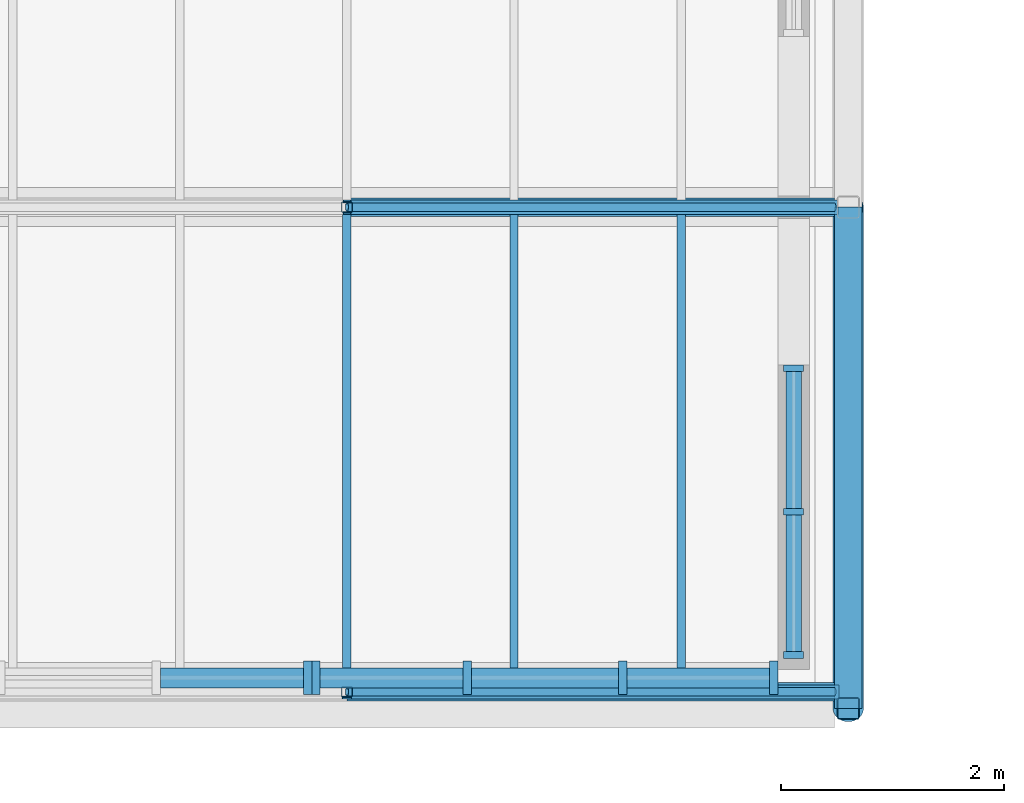
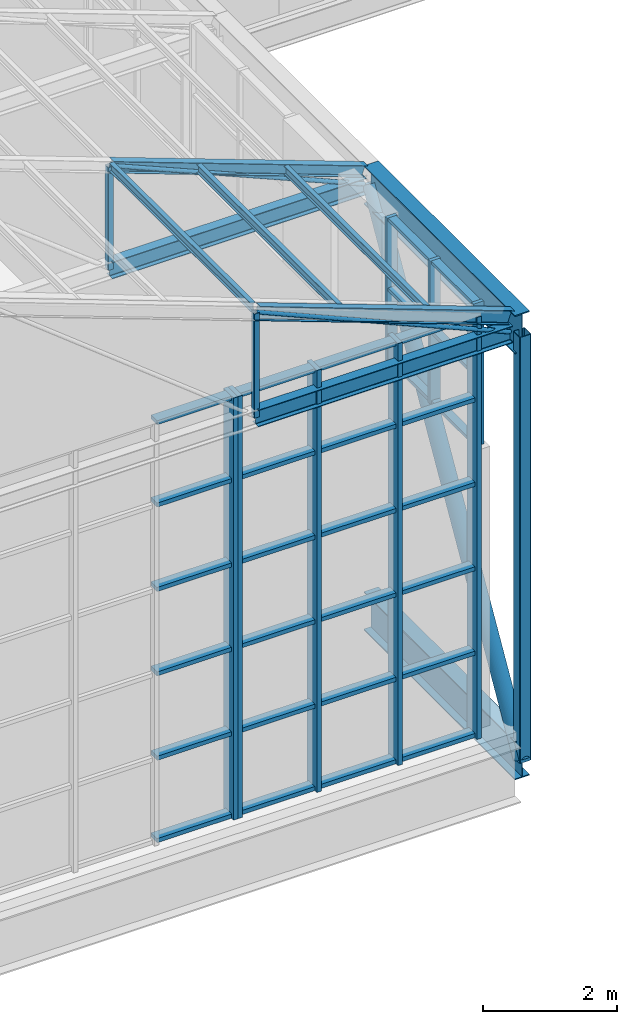
# One storey, part 21 of 90: 53 members, 3 elements without a shape of their own.
"""IFC4 building model written with IfcOpenShell, lengths in metres."""

from ifc_helpers import new_model, si_unit, direction, frame, origin, origin_2d, place, context, subcontext, project, spatial, rectangle, hollow_rectangle, hollow_circle, i_section, extrude, material, layer, layer_set, material_profile, profile_set, type_object, element, aggregate, save


model = new_model("IFC4")

# Units and contexts
model_context = context("Model", 3, precision=1e-05, world=origin(), true_north=direction((0.0, 1.0)))
body_context = subcontext(model_context, "Body", "Model", "MODEL_VIEW")
ifc_project = project(units=[si_unit("LENGTHUNIT", "METRE"), si_unit("AREAUNIT", "SQUARE_METRE"), si_unit("VOLUMEUNIT", "CUBIC_METRE"), si_unit("PLANEANGLEUNIT", "RADIAN"), si_unit("MASSUNIT", "GRAM", prefix="KILO")], contexts=[model_context])

# Site, building, storey
site_placement = place(None, origin())
site = spatial("IfcSite", under=ifc_project, at=site_placement, CompositionType="ELEMENT")
building_placement = place(site_placement, origin())
building = spatial("IfcBuilding", under=site, at=building_placement, Name="Halyard Row Museum", CompositionType="ELEMENT")
storey_placement = place(building_placement, frame((0.0, 0.0, 13.39990234375)))
storey = spatial("IfcBuildingStorey", under=building, at=storey_placement, Name="L03", CompositionType="ELEMENT", Elevation=13.39990234375)

# Curtain wall, members
ifc_material_1 = material(Name="Double glazed unit, low-emissivity", Category="glass")
ifc_layer_1 = layer(ifc_material_1, 0.179931640625)
ifc_layer_set_1 = layer_set([ifc_layer_1], Name="Double glazed unit, low-emissivity")
curtain_wall_type_1 = type_object("IfcCurtainWallType", Name="Curtain wall stick 180 deep", PredefinedType="NOTDEFINED", material=ifc_layer_set_1)
curtain_wall_1_placement = place(storey_placement, origin())
curtain_wall_1 = element("IfcCurtainWall", 1, at=curtain_wall_1_placement, inside=storey, type_object=curtain_wall_type_1, Name="Curtain wall CW071", PredefinedType="NOTDEFINED")
ifc_material_2 = material(Name="Powder-coated aluminium section", Category="aluminium")
ifc_material_profile_1 = material_profile(ifc_material_2, rectangle(XDim=0.179931640625, YDim=0.06005859375, at=origin_2d()), Name="180x60 mullion")
ifc_profile_set_1 = profile_set([ifc_material_profile_1], Name="Powder-coated aluminium section")
member_type_1 = type_object("IfcMemberType", Name="Curtain wall mullion CM2 60 x 180", PredefinedType="MULLION", material=ifc_profile_set_1)
member_1_placement = place(storey_placement, frame((53.510009765625, 0.47998046875, 5.07275390625), z_axis=(0.0, 0.0, 1.0), x_axis=(-1.0, 0.0, 0.0)))
member_1 = element("IfcMember", 2, at=member_1_placement, type_object=member_type_1, Name="CW071 mullion 1", PredefinedType="MULLION", context=body_context, shape_type="SweptSolid", body=[
    extrude(rectangle(XDim=0.179931640625, YDim=0.06005859375, at=origin_2d()), origin(), (0.0, 0.0, 1.0), 2.60009765625),
])
member_2_placement = place(storey_placement, frame((53.510009765625, 1.7666015625, 5.07275390625), z_axis=(0.0, 0.0, 1.0), x_axis=(-1.0, 0.0, 0.0)))
member_2 = element("IfcMember", 3, at=member_2_placement, type_object=member_type_1, Name="CW071 mullion 2", PredefinedType="MULLION", context=body_context, shape_type="SweptSolid", body=[
    extrude(rectangle(XDim=0.179931640625, YDim=0.06005859375, at=origin_2d()), origin(), (0.0, 0.0, 1.0), 2.60009765625),
])
member_3_placement = place(storey_placement, frame((53.510009765625, 3.05322265625, 5.07275390625), z_axis=(0.0, 0.0, 1.0), x_axis=(-1.0, 0.0, 0.0)))
member_3 = element("IfcMember", 4, at=member_3_placement, type_object=member_type_1, Name="CW071 mullion 3", PredefinedType="MULLION", context=body_context, shape_type="SweptSolid", body=[
    extrude(rectangle(XDim=0.179931640625, YDim=0.06005859375, at=origin_2d()), origin(), (0.0, 0.0, 1.0), 2.60009765625),
])

# Curtain wall, member
ifc_material_3 = material(Name="Double glazed unit, low-emissivity", Category="glass")
ifc_layer_2 = layer(ifc_material_3, 0.300048828125)
ifc_layer_set_2 = layer_set([ifc_layer_2], Name="Double glazed unit, low-emissivity")
curtain_wall_type_2 = type_object("IfcCurtainWallType", Name="Curtain wall deep-framed 300 deep", PredefinedType="NOTDEFINED", material=ifc_layer_set_2)
curtain_wall_2_placement = place(storey_placement, origin())
curtain_wall_2 = element("IfcCurtainWall", 5, at=curtain_wall_2_placement, inside=storey, type_object=curtain_wall_type_2, Name="Curtain wall CW065", PredefinedType="NOTDEFINED")
ifc_material_4 = material(Name="Powder-coated aluminium section", Category="aluminium")
ifc_material_profile_2 = material_profile(ifc_material_4, rectangle(XDim=0.300048828125, YDim=0.074951171875, at=origin_2d()), Name="300x75 mullion")
ifc_profile_set_2 = profile_set([ifc_material_profile_2], Name="Powder-coated aluminium section")
member_type_2 = type_object("IfcMemberType", Name="Curtain wall mullion CM6 75 x 300", PredefinedType="MULLION", material=ifc_profile_set_2)
member_4_placement = place(storey_placement, frame((49.1474609375, 0.27490234375, 0.0), z_axis=(0.0, 0.0, 1.0), x_axis=(0.0, 1.0, 0.0)))
member_4 = element("IfcMember", 6, at=member_4_placement, type_object=member_type_2, Name="CW065 mullion 4", PredefinedType="MULLION", context=body_context, shape_type="SweptSolid", body=[
    extrude(rectangle(XDim=0.300048828125, YDim=0.074951171875, at=origin_2d()), origin(), (0.0, 0.0, 1.0), 7.6728515625),
])

# Curtain wall, members
curtain_wall_3_placement = place(storey_placement, origin())
curtain_wall_3 = element("IfcCurtainWall", 7, at=curtain_wall_3_placement, inside=storey, type_object=curtain_wall_type_2, Name="Curtain wall CW066", PredefinedType="NOTDEFINED")
member_5_placement = place(storey_placement, frame((49.222412109375, 0.27490234375, 0.0), z_axis=(0.0, 0.0, 1.0), x_axis=(0.0, 1.0, 0.0)))
member_5 = element("IfcMember", 8, at=member_5_placement, type_object=member_type_2, Name="CW066 mullion 1", PredefinedType="MULLION", context=body_context, shape_type="SweptSolid", body=[
    extrude(rectangle(XDim=0.300048828125, YDim=0.074951171875, at=origin_2d()), origin(), (0.0, 0.0, 1.0), 7.6728515625),
])
member_6_placement = place(storey_placement, frame((50.580078125, 0.27490234375, 0.0), z_axis=(0.0, 0.0, 1.0), x_axis=(0.0, 1.0, 0.0)))
member_6 = element("IfcMember", 9, at=member_6_placement, type_object=member_type_2, Name="CW066 mullion 2", PredefinedType="MULLION", context=body_context, shape_type="SweptSolid", body=[
    extrude(rectangle(XDim=0.300048828125, YDim=0.074951171875, at=origin_2d()), origin(), (0.0, 0.0, 1.0), 7.6728515625),
])
member_7_placement = place(storey_placement, frame((51.97509765625, 0.27490234375, 0.0), z_axis=(0.0, 0.0, 1.0), x_axis=(0.0, 1.0, 0.0)))
member_7 = element("IfcMember", 10, at=member_7_placement, type_object=member_type_2, Name="CW066 mullion 3", PredefinedType="MULLION", context=body_context, shape_type="SweptSolid", body=[
    extrude(rectangle(XDim=0.300048828125, YDim=0.074951171875, at=origin_2d()), origin(), (0.0, 0.0, 1.0), 7.6728515625),
])
member_8_placement = place(storey_placement, frame((53.33251953125, 0.27490234375, 0.0), z_axis=(0.0, 0.0, 1.0), x_axis=(0.0, 1.0, 0.0)))
member_8 = element("IfcMember", 11, at=member_8_placement, type_object=member_type_2, Name="CW066 mullion 4", PredefinedType="MULLION", context=body_context, shape_type="SweptSolid", body=[
    extrude(rectangle(XDim=0.300048828125, YDim=0.074951171875, at=origin_2d()), origin(), (0.0, 0.0, 1.0), 7.6728515625),
])

# Member
ifc_material_5 = material(Name="Powder-coated aluminium section", Category="aluminium")
ifc_material_profile_3 = material_profile(ifc_material_5, rectangle(XDim=0.139892578125, YDim=0.06005859375, at=origin_2d()), Name="140x60 transom")
ifc_profile_set_3 = profile_set([ifc_material_profile_3], Name="Powder-coated aluminium section")
member_type_3 = type_object("IfcMemberType", Name="Curtain wall transom CT2 60 x 140", PredefinedType="USERDEFINED", material=ifc_profile_set_3)
member_9_placement = place(storey_placement, frame((53.510009765625, 0.510009765625, 5.102783203125), z_axis=(0.0, 1.0, 0.0), x_axis=(-1.0, 0.0, 0.0)))
member_9 = element("IfcMember", 12, at=member_9_placement, type_object=member_type_3, Name="CW071 transom 1.1", ObjectType="TRANSOM", PredefinedType="USERDEFINED", context=body_context, shape_type="SweptSolid", body=[
    extrude(rectangle(XDim=0.139892578125, YDim=0.06005859375, at=origin_2d()), origin(), (0.0, 0.0, 1.0), 1.2265625),
])

member_10_placement = place(storey_placement, frame((53.510009765625, 0.510009765625, 6.372802734375), z_axis=(0.0, 1.0, 0.0), x_axis=(-1.0, 0.0, 0.0)))
member_10 = element("IfcMember", 13, at=member_10_placement, type_object=member_type_3, Name="CW071 transom 1.2", ObjectType="TRANSOM", PredefinedType="USERDEFINED", context=body_context, shape_type="SweptSolid", body=[
    extrude(rectangle(XDim=0.139892578125, YDim=0.06005859375, at=origin_2d()), origin(), (0.0, 0.0, 1.0), 1.2265625),
])

member_11_placement = place(storey_placement, frame((53.510009765625, 0.510009765625, 7.642822265625), z_axis=(0.0, 1.0, 0.0), x_axis=(-1.0, 0.0, 0.0)))
member_11 = element("IfcMember", 14, at=member_11_placement, type_object=member_type_3, Name="CW071 transom 1.3", ObjectType="TRANSOM", PredefinedType="USERDEFINED", context=body_context, shape_type="SweptSolid", body=[
    extrude(rectangle(XDim=0.139892578125, YDim=0.06005859375, at=origin_2d()), origin(), (0.0, 0.0, 1.0), 1.2265625),
])

member_12_placement = place(storey_placement, frame((53.510009765625, 1.796630859375, 5.102783203125), z_axis=(0.0, 1.0, 0.0), x_axis=(-1.0, 0.0, 0.0)))
member_12 = element("IfcMember", 15, at=member_12_placement, type_object=member_type_3, Name="CW071 transom 2.1", ObjectType="TRANSOM", PredefinedType="USERDEFINED", context=body_context, shape_type="SweptSolid", body=[
    extrude(rectangle(XDim=0.139892578125, YDim=0.06005859375, at=origin_2d()), origin(), (0.0, 0.0, 1.0), 1.226806640625),
])

member_13_placement = place(storey_placement, frame((53.510009765625, 1.796630859375, 6.372802734375), z_axis=(0.0, 1.0, 0.0), x_axis=(-1.0, 0.0, 0.0)))
member_13 = element("IfcMember", 16, at=member_13_placement, type_object=member_type_3, Name="CW071 transom 2.2", ObjectType="TRANSOM", PredefinedType="USERDEFINED", context=body_context, shape_type="SweptSolid", body=[
    extrude(rectangle(XDim=0.139892578125, YDim=0.06005859375, at=origin_2d()), origin(), (0.0, 0.0, 1.0), 1.226806640625),
])

member_14_placement = place(storey_placement, frame((53.510009765625, 1.796630859375, 7.642822265625), z_axis=(0.0, 1.0, 0.0), x_axis=(-1.0, 0.0, 0.0)))
member_14 = element("IfcMember", 17, at=member_14_placement, type_object=member_type_3, Name="CW071 transom 2.3", ObjectType="TRANSOM", PredefinedType="USERDEFINED", context=body_context, shape_type="SweptSolid", body=[
    extrude(rectangle(XDim=0.139892578125, YDim=0.06005859375, at=origin_2d()), origin(), (0.0, 0.0, 1.0), 1.226806640625),
])

aggregate(curtain_wall_1, [member_1, member_2, member_3, member_9, member_10, member_11, member_12, member_13, member_14])

ifc_material_6 = material(Name="Powder-coated aluminium section", Category="aluminium")
ifc_material_profile_4 = material_profile(ifc_material_6, rectangle(XDim=0.179931640625, YDim=0.074951171875, at=origin_2d()), Name="180x75 transom")
ifc_profile_set_4 = profile_set([ifc_material_profile_4], Name="Powder-coated aluminium section")
member_type_4 = type_object("IfcMemberType", Name="Curtain wall transom CT6 75 x 180", PredefinedType="USERDEFINED", material=ifc_profile_set_4)
member_15_placement = place(storey_placement, frame((47.827392578125, 0.27490234375, 0.03759765625), z_axis=(1.0, 0.0, 0.0), x_axis=(0.0, 1.0, 0.0)))
member_15 = element("IfcMember", 18, at=member_15_placement, type_object=member_type_4, Name="CW065 transom 3.1", ObjectType="TRANSOM", PredefinedType="USERDEFINED", context=body_context, shape_type="SweptSolid", body=[
    extrude(rectangle(XDim=0.179931640625, YDim=0.074951171875, at=origin_2d()), origin(), (0.0, 0.0, 1.0), 1.28271484375),
])

member_16_placement = place(storey_placement, frame((47.827392578125, 0.27490234375, 1.53466796875), z_axis=(1.0, 0.0, 0.0), x_axis=(0.0, 1.0, 0.0)))
member_16 = element("IfcMember", 19, at=member_16_placement, type_object=member_type_4, Name="CW065 transom 3.2", ObjectType="TRANSOM", PredefinedType="USERDEFINED", context=body_context, shape_type="SweptSolid", body=[
    extrude(rectangle(XDim=0.179931640625, YDim=0.074951171875, at=origin_2d()), origin(), (0.0, 0.0, 1.0), 1.28271484375),
])

member_17_placement = place(storey_placement, frame((47.827392578125, 0.27490234375, 3.069091796875), z_axis=(1.0, 0.0, 0.0), x_axis=(0.0, 1.0, 0.0)))
member_17 = element("IfcMember", 20, at=member_17_placement, type_object=member_type_4, Name="CW065 transom 3.3", ObjectType="TRANSOM", PredefinedType="USERDEFINED", context=body_context, shape_type="SweptSolid", body=[
    extrude(rectangle(XDim=0.179931640625, YDim=0.074951171875, at=origin_2d()), origin(), (0.0, 0.0, 1.0), 1.28271484375),
])

member_18_placement = place(storey_placement, frame((47.827392578125, 0.27490234375, 4.603759765625), z_axis=(1.0, 0.0, 0.0), x_axis=(0.0, 1.0, 0.0)))
member_18 = element("IfcMember", 21, at=member_18_placement, type_object=member_type_4, Name="CW065 transom 3.4", ObjectType="TRANSOM", PredefinedType="USERDEFINED", context=body_context, shape_type="SweptSolid", body=[
    extrude(rectangle(XDim=0.179931640625, YDim=0.074951171875, at=origin_2d()), origin(), (0.0, 0.0, 1.0), 1.28271484375),
])

member_19_placement = place(storey_placement, frame((47.827392578125, 0.27490234375, 6.13818359375), z_axis=(1.0, 0.0, 0.0), x_axis=(0.0, 1.0, 0.0)))
member_19 = element("IfcMember", 22, at=member_19_placement, type_object=member_type_4, Name="CW065 transom 3.5", ObjectType="TRANSOM", PredefinedType="USERDEFINED", context=body_context, shape_type="SweptSolid", body=[
    extrude(rectangle(XDim=0.179931640625, YDim=0.074951171875, at=origin_2d()), origin(), (0.0, 0.0, 1.0), 1.28271484375),
])

member_20_placement = place(storey_placement, frame((47.827392578125, 0.27490234375, 7.63525390625), z_axis=(1.0, 0.0, 0.0), x_axis=(0.0, 1.0, 0.0)))
member_20 = element("IfcMember", 23, at=member_20_placement, type_object=member_type_4, Name="CW065 transom 3.6", ObjectType="TRANSOM", PredefinedType="USERDEFINED", context=body_context, shape_type="SweptSolid", body=[
    extrude(rectangle(XDim=0.179931640625, YDim=0.074951171875, at=origin_2d()), origin(), (0.0, 0.0, 1.0), 1.28271484375),
])

aggregate(curtain_wall_2, [member_4, member_15, member_16, member_17, member_18, member_19, member_20])

member_21_placement = place(storey_placement, frame((49.260009765625, 0.27490234375, 0.03759765625), z_axis=(1.0, 0.0, 0.0), x_axis=(0.0, 1.0, 0.0)))
member_21 = element("IfcMember", 24, at=member_21_placement, type_object=member_type_4, Name="CW066 transom 1.1", ObjectType="TRANSOM", PredefinedType="USERDEFINED", context=body_context, shape_type="SweptSolid", body=[
    extrude(rectangle(XDim=0.179931640625, YDim=0.074951171875, at=origin_2d()), origin(), (0.0, 0.0, 1.0), 1.282470703125),
])

member_22_placement = place(storey_placement, frame((49.260009765625, 0.27490234375, 1.53466796875), z_axis=(1.0, 0.0, 0.0), x_axis=(0.0, 1.0, 0.0)))
member_22 = element("IfcMember", 25, at=member_22_placement, type_object=member_type_4, Name="CW066 transom 1.2", ObjectType="TRANSOM", PredefinedType="USERDEFINED", context=body_context, shape_type="SweptSolid", body=[
    extrude(rectangle(XDim=0.179931640625, YDim=0.074951171875, at=origin_2d()), origin(), (0.0, 0.0, 1.0), 1.282470703125),
])

member_23_placement = place(storey_placement, frame((49.260009765625, 0.27490234375, 3.069091796875), z_axis=(1.0, 0.0, 0.0), x_axis=(0.0, 1.0, 0.0)))
member_23 = element("IfcMember", 26, at=member_23_placement, type_object=member_type_4, Name="CW066 transom 1.3", ObjectType="TRANSOM", PredefinedType="USERDEFINED", context=body_context, shape_type="SweptSolid", body=[
    extrude(rectangle(XDim=0.179931640625, YDim=0.074951171875, at=origin_2d()), origin(), (0.0, 0.0, 1.0), 1.282470703125),
])

member_24_placement = place(storey_placement, frame((49.260009765625, 0.27490234375, 4.603759765625), z_axis=(1.0, 0.0, 0.0), x_axis=(0.0, 1.0, 0.0)))
member_24 = element("IfcMember", 27, at=member_24_placement, type_object=member_type_4, Name="CW066 transom 1.4", ObjectType="TRANSOM", PredefinedType="USERDEFINED", context=body_context, shape_type="SweptSolid", body=[
    extrude(rectangle(XDim=0.179931640625, YDim=0.074951171875, at=origin_2d()), origin(), (0.0, 0.0, 1.0), 1.282470703125),
])

member_25_placement = place(storey_placement, frame((49.260009765625, 0.27490234375, 6.13818359375), z_axis=(1.0, 0.0, 0.0), x_axis=(0.0, 1.0, 0.0)))
member_25 = element("IfcMember", 28, at=member_25_placement, type_object=member_type_4, Name="CW066 transom 1.5", ObjectType="TRANSOM", PredefinedType="USERDEFINED", context=body_context, shape_type="SweptSolid", body=[
    extrude(rectangle(XDim=0.179931640625, YDim=0.074951171875, at=origin_2d()), origin(), (0.0, 0.0, 1.0), 1.282470703125),
])

member_26_placement = place(storey_placement, frame((49.260009765625, 0.27490234375, 7.63525390625), z_axis=(1.0, 0.0, 0.0), x_axis=(0.0, 1.0, 0.0)))
member_26 = element("IfcMember", 29, at=member_26_placement, type_object=member_type_4, Name="CW066 transom 1.6", ObjectType="TRANSOM", PredefinedType="USERDEFINED", context=body_context, shape_type="SweptSolid", body=[
    extrude(rectangle(XDim=0.179931640625, YDim=0.074951171875, at=origin_2d()), origin(), (0.0, 0.0, 1.0), 1.282470703125),
])

member_27_placement = place(storey_placement, frame((50.617431640625, 0.27490234375, 0.03759765625), z_axis=(1.0, 0.0, 0.0), x_axis=(0.0, 1.0, 0.0)))
member_27 = element("IfcMember", 30, at=member_27_placement, type_object=member_type_4, Name="CW066 transom 2.1", ObjectType="TRANSOM", PredefinedType="USERDEFINED", context=body_context, shape_type="SweptSolid", body=[
    extrude(rectangle(XDim=0.179931640625, YDim=0.074951171875, at=origin_2d()), origin(), (0.0, 0.0, 1.0), 1.320068359375),
])

member_28_placement = place(storey_placement, frame((50.617431640625, 0.27490234375, 1.53466796875), z_axis=(1.0, 0.0, 0.0), x_axis=(0.0, 1.0, 0.0)))
member_28 = element("IfcMember", 31, at=member_28_placement, type_object=member_type_4, Name="CW066 transom 2.2", ObjectType="TRANSOM", PredefinedType="USERDEFINED", context=body_context, shape_type="SweptSolid", body=[
    extrude(rectangle(XDim=0.179931640625, YDim=0.074951171875, at=origin_2d()), origin(), (0.0, 0.0, 1.0), 1.320068359375),
])

member_29_placement = place(storey_placement, frame((50.617431640625, 0.27490234375, 3.069091796875), z_axis=(1.0, 0.0, 0.0), x_axis=(0.0, 1.0, 0.0)))
member_29 = element("IfcMember", 32, at=member_29_placement, type_object=member_type_4, Name="CW066 transom 2.3", ObjectType="TRANSOM", PredefinedType="USERDEFINED", context=body_context, shape_type="SweptSolid", body=[
    extrude(rectangle(XDim=0.179931640625, YDim=0.074951171875, at=origin_2d()), origin(), (0.0, 0.0, 1.0), 1.320068359375),
])

member_30_placement = place(storey_placement, frame((50.617431640625, 0.27490234375, 4.603759765625), z_axis=(1.0, 0.0, 0.0), x_axis=(0.0, 1.0, 0.0)))
member_30 = element("IfcMember", 33, at=member_30_placement, type_object=member_type_4, Name="CW066 transom 2.4", ObjectType="TRANSOM", PredefinedType="USERDEFINED", context=body_context, shape_type="SweptSolid", body=[
    extrude(rectangle(XDim=0.179931640625, YDim=0.074951171875, at=origin_2d()), origin(), (0.0, 0.0, 1.0), 1.320068359375),
])

member_31_placement = place(storey_placement, frame((50.617431640625, 0.27490234375, 6.13818359375), z_axis=(1.0, 0.0, 0.0), x_axis=(0.0, 1.0, 0.0)))
member_31 = element("IfcMember", 34, at=member_31_placement, type_object=member_type_4, Name="CW066 transom 2.5", ObjectType="TRANSOM", PredefinedType="USERDEFINED", context=body_context, shape_type="SweptSolid", body=[
    extrude(rectangle(XDim=0.179931640625, YDim=0.074951171875, at=origin_2d()), origin(), (0.0, 0.0, 1.0), 1.320068359375),
])

member_32_placement = place(storey_placement, frame((50.617431640625, 0.27490234375, 7.63525390625), z_axis=(1.0, 0.0, 0.0), x_axis=(0.0, 1.0, 0.0)))
member_32 = element("IfcMember", 35, at=member_32_placement, type_object=member_type_4, Name="CW066 transom 2.6", ObjectType="TRANSOM", PredefinedType="USERDEFINED", context=body_context, shape_type="SweptSolid", body=[
    extrude(rectangle(XDim=0.179931640625, YDim=0.074951171875, at=origin_2d()), origin(), (0.0, 0.0, 1.0), 1.320068359375),
])

member_33_placement = place(storey_placement, frame((52.012451171875, 0.27490234375, 0.03759765625), z_axis=(1.0, 0.0, 0.0), x_axis=(0.0, 1.0, 0.0)))
member_33 = element("IfcMember", 36, at=member_33_placement, type_object=member_type_4, Name="CW066 transom 3.1", ObjectType="TRANSOM", PredefinedType="USERDEFINED", context=body_context, shape_type="SweptSolid", body=[
    extrude(rectangle(XDim=0.179931640625, YDim=0.074951171875, at=origin_2d()), origin(), (0.0, 0.0, 1.0), 1.282470703125),
])

member_34_placement = place(storey_placement, frame((52.012451171875, 0.27490234375, 1.53466796875), z_axis=(1.0, 0.0, 0.0), x_axis=(0.0, 1.0, 0.0)))
member_34 = element("IfcMember", 37, at=member_34_placement, type_object=member_type_4, Name="CW066 transom 3.2", ObjectType="TRANSOM", PredefinedType="USERDEFINED", context=body_context, shape_type="SweptSolid", body=[
    extrude(rectangle(XDim=0.179931640625, YDim=0.074951171875, at=origin_2d()), origin(), (0.0, 0.0, 1.0), 1.282470703125),
])

member_35_placement = place(storey_placement, frame((52.012451171875, 0.27490234375, 3.069091796875), z_axis=(1.0, 0.0, 0.0), x_axis=(0.0, 1.0, 0.0)))
member_35 = element("IfcMember", 38, at=member_35_placement, type_object=member_type_4, Name="CW066 transom 3.3", ObjectType="TRANSOM", PredefinedType="USERDEFINED", context=body_context, shape_type="SweptSolid", body=[
    extrude(rectangle(XDim=0.179931640625, YDim=0.074951171875, at=origin_2d()), origin(), (0.0, 0.0, 1.0), 1.282470703125),
])

member_36_placement = place(storey_placement, frame((52.012451171875, 0.27490234375, 4.603759765625), z_axis=(1.0, 0.0, 0.0), x_axis=(0.0, 1.0, 0.0)))
member_36 = element("IfcMember", 39, at=member_36_placement, type_object=member_type_4, Name="CW066 transom 3.4", ObjectType="TRANSOM", PredefinedType="USERDEFINED", context=body_context, shape_type="SweptSolid", body=[
    extrude(rectangle(XDim=0.179931640625, YDim=0.074951171875, at=origin_2d()), origin(), (0.0, 0.0, 1.0), 1.282470703125),
])

member_37_placement = place(storey_placement, frame((52.012451171875, 0.27490234375, 6.13818359375), z_axis=(1.0, 0.0, 0.0), x_axis=(0.0, 1.0, 0.0)))
member_37 = element("IfcMember", 40, at=member_37_placement, type_object=member_type_4, Name="CW066 transom 3.5", ObjectType="TRANSOM", PredefinedType="USERDEFINED", context=body_context, shape_type="SweptSolid", body=[
    extrude(rectangle(XDim=0.179931640625, YDim=0.074951171875, at=origin_2d()), origin(), (0.0, 0.0, 1.0), 1.282470703125),
])

member_38_placement = place(storey_placement, frame((52.012451171875, 0.27490234375, 7.63525390625), z_axis=(1.0, 0.0, 0.0), x_axis=(0.0, 1.0, 0.0)))
member_38 = element("IfcMember", 41, at=member_38_placement, type_object=member_type_4, Name="CW066 transom 3.6", ObjectType="TRANSOM", PredefinedType="USERDEFINED", context=body_context, shape_type="SweptSolid", body=[
    extrude(rectangle(XDim=0.179931640625, YDim=0.074951171875, at=origin_2d()), origin(), (0.0, 0.0, 1.0), 1.282470703125),
])

aggregate(curtain_wall_3, [member_5, member_6, member_7, member_8, member_21, member_22, member_23, member_24, member_25, member_26, member_27, member_28, member_29, member_30, member_31, member_32, member_33, member_34, member_35, member_36, member_37, member_38])

# Members
ifc_material_7 = material(Name="Steel Grade 300", Category="steel")
ifc_material_profile_5 = material_profile(ifc_material_7, i_section(OverallWidth=0.074951171875, OverallDepth=0.155029296875, WebThickness=0.006103515625, FlangeThickness=0.009521484375, FilletRadius=0.008056640625, at=origin_2d()), Name="150UB18.0")
ifc_profile_set_5 = profile_set([ifc_material_profile_5], Name="Steel Grade 300")
member_type_5 = type_object("IfcMemberType", Name="Purlin 150UB18.0", PredefinedType="PURLIN", material=ifc_profile_set_5)
for number, where, z_axis, x_axis, name in (
    (42, (49.5, 0.216552734375, 9.133544921875), (0.0, 1.0, 0.0), (-1.0, 0.0, 0.0), "V4 purlin PR3.1"),
    (43, (51.0, 0.216552734375, 8.581787109375), (0.0, 1.0, 0.0), (-1.0, 0.0, 0.0), "V4 purlin PR2.1"),
    (44, (52.5, 0.216552734375, 8.0302734375), (0.0, 1.0, 0.0), (-1.0, 0.0, 0.0), "V4 purlin PR1.1"),
):
    element("IfcMember", number, at=place(storey_placement, frame(where, z_axis=z_axis, x_axis=x_axis)), inside=storey, type_object=member_type_5, Name=name, PredefinedType="PURLIN", context=body_context, shape_type="SweptSolid", body=[
        extrude(i_section(OverallWidth=0.074951171875, OverallDepth=0.155029296875, WebThickness=0.006103515625, FlangeThickness=0.009521484375, FilletRadius=0.008056640625, at=origin_2d()), origin(), (0.0, 0.0, 1.0), 4.217041015625),
    ])
ifc_material_8 = material(Name="Steel Grade C250L0", Category="steel")
ifc_material_profile_6 = material_profile(ifc_material_8, hollow_circle(Radius=0.0380859375, WallThickness=0.00439453125, at=origin_2d()), Name="76.1x4.5CHS")
ifc_profile_set_6 = profile_set([ifc_material_profile_6], Name="Steel Grade C250L0")
member_type_6 = type_object("IfcMemberType", Name="Roof truss diagonal 76.1x4.5CHS", PredefinedType="BRACE", material=ifc_profile_set_6)
member_39_placement = place(storey_placement, frame((53.875, 0.14990234375, 7.197998046875), z_axis=(-0.917636560923, 0.0, 0.397420611012), x_axis=(0.0, -1.0, 0.0)))
element("IfcMember", 45, at=member_39_placement, inside=storey, type_object=member_type_6, Name="V4RT1 diagonal 4", PredefinedType="BRACE", context=body_context, shape_type="SweptSolid", body=[
    extrude(hollow_circle(Radius=0.0380859375, WallThickness=0.00439453125, at=origin_2d()), origin(), (0.0, 0.0, 1.0), 4.767578125),
])
member_40_placement = place(storey_placement, frame((53.875, 4.5, 7.2490234375), z_axis=(-0.91964597722, 0.0, 0.392748362928), x_axis=(0.0, -1.0, 0.0)))
element("IfcMember", 46, at=member_40_placement, inside=storey, type_object=member_type_6, Name="V4RT2 diagonal 4", PredefinedType="BRACE", context=body_context, shape_type="SweptSolid", body=[
    extrude(hollow_circle(Radius=0.0380859375, WallThickness=0.00439453125, at=origin_2d()), origin(), (0.0, 0.0, 1.0), 4.75732421875),
])
ifc_material_9 = material(Name="Steel Grade C350L0", Category="steel")
ifc_material_profile_7 = material_profile(ifc_material_9, hollow_rectangle(XDim=0.10009765625, YDim=0.10009765625, WallThickness=0.006103515625, InnerFilletRadius=0.009033203125, OuterFilletRadius=0.014892578125, at=origin_2d()), Name="100x100x6.0SHS")
ifc_profile_set_7 = profile_set([ifc_material_profile_7], Name="Steel Grade C350L0")
member_type_7 = type_object("IfcMemberType", Name="Roof truss post 100x100x6.0SHS", PredefinedType="POST", material=ifc_profile_set_7)
member_41_placement = place(storey_placement, frame((49.5, 0.14990234375, 7.197998046875), z_axis=(0.0, 0.0, 1.0), x_axis=(1.0, 0.0, 0.0)))
element("IfcMember", 47, at=member_41_placement, inside=storey, type_object=member_type_7, Name="V4RT1 post 3", PredefinedType="POST", context=body_context, shape_type="SweptSolid", body=[
    extrude(hollow_rectangle(XDim=0.10009765625, YDim=0.10009765625, WallThickness=0.006103515625, InnerFilletRadius=0.009033203125, OuterFilletRadius=0.014892578125, at=origin_2d()), origin(), (0.0, 0.0, 1.0), 1.894775390625),
])
member_42_placement = place(storey_placement, frame((49.5, 4.5, 7.2490234375), z_axis=(0.0, 0.0, 1.0), x_axis=(1.0, 0.0, 0.0)))
element("IfcMember", 48, at=member_42_placement, inside=storey, type_object=member_type_7, Name="V4RT2 post 3", PredefinedType="POST", context=body_context, shape_type="SweptSolid", body=[
    extrude(hollow_rectangle(XDim=0.10009765625, YDim=0.10009765625, WallThickness=0.006103515625, InnerFilletRadius=0.009033203125, OuterFilletRadius=0.014892578125, at=origin_2d()), origin(), (0.0, 0.0, 1.0), 1.868408203125),
])
ifc_material_10 = material(Name="Steel Grade 300", Category="steel")
ifc_material_profile_8 = material_profile(ifc_material_10, i_section(OverallWidth=0.133056640625, OverallDepth=0.20166015625, WebThickness=0.0048828125, FlangeThickness=0.007080078125, FilletRadius=0.0087890625, at=origin_2d()), Name="200UB22.3")
ifc_profile_set_8 = profile_set([ifc_material_profile_8], Name="Steel Grade 300")
member_type_8 = type_object("IfcMemberType", Name="Roof truss rafter 200UB22.3 rafter", PredefinedType="RAFTER", material=ifc_profile_set_8)
member_43_placement = place(storey_placement, frame((49.5, 4.5, 9.117431640625), z_axis=(0.938531649117, 0.0, -0.345193197507), x_axis=(0.0, 1.0, 0.0)))
element("IfcMember", 49, at=member_43_placement, inside=storey, type_object=member_type_8, Name="V4RT2 rafter 4", PredefinedType="RAFTER", context=body_context, shape_type="SweptSolid", body=[
    extrude(i_section(OverallWidth=0.133056640625, OverallDepth=0.20166015625, WebThickness=0.0048828125, FlangeThickness=0.007080078125, FilletRadius=0.0087890625, at=origin_2d()), origin(), (0.0, 0.0, 1.0), 4.66162109375),
])
ifc_material_11 = material(Name="Steel Grade 300", Category="steel")
ifc_material_profile_9 = material_profile(ifc_material_11, i_section(OverallWidth=0.1240234375, OverallDepth=0.248046875, WebThickness=0.0048828125, FlangeThickness=0.008056640625, FilletRadius=0.011962890625, at=origin_2d()), Name="250UB25.7")
ifc_profile_set_9 = profile_set([ifc_material_profile_9], Name="Steel Grade 300")
member_type_9 = type_object("IfcMemberType", Name="Roof truss rafter 250UB25.7 end truss", PredefinedType="RAFTER", material=ifc_profile_set_9)
member_44_placement = place(storey_placement, frame((49.5, 0.14990234375, 9.0927734375), z_axis=(0.938531649117, 0.0, -0.345193197507), x_axis=(0.0, 1.0, 0.0)))
element("IfcMember", 50, at=member_44_placement, inside=storey, type_object=member_type_9, Name="V4RT1 rafter 4", PredefinedType="RAFTER", context=body_context, shape_type="SweptSolid", body=[
    extrude(i_section(OverallWidth=0.1240234375, OverallDepth=0.248046875, WebThickness=0.0048828125, FlangeThickness=0.008056640625, FilletRadius=0.011962890625, at=origin_2d()), origin(), (0.0, 0.0, 1.0), 4.66162109375),
])
ifc_material_12 = material(Name="Steel Grade 300", Category="steel")
ifc_material_profile_10 = material_profile(ifc_material_12, i_section(OverallWidth=0.1650390625, OverallDepth=0.303955078125, WebThickness=0.006103515625, FlangeThickness=0.01025390625, FilletRadius=0.011474609375, at=origin_2d()), Name="310UB40.4")
ifc_profile_set_10 = profile_set([ifc_material_profile_10], Name="Steel Grade 300")
member_type_10 = type_object("IfcMemberType", Name="Roof truss tie 310UB40.4 tie", PredefinedType="CHORD", material=ifc_profile_set_10)
member_45_placement = place(storey_placement, frame((49.5, 4.5, 7.2490234375), z_axis=(1.0, 0.0, 0.0), x_axis=(0.0, 1.0, 0.0)))
element("IfcMember", 51, at=member_45_placement, inside=storey, type_object=member_type_10, Name="V4RT2 tie 4", PredefinedType="CHORD", context=body_context, shape_type="SweptSolid", body=[
    extrude(i_section(OverallWidth=0.1650390625, OverallDepth=0.303955078125, WebThickness=0.006103515625, FlangeThickness=0.01025390625, FilletRadius=0.011474609375, at=origin_2d()), origin(), (0.0, 0.0, 1.0), 4.375),
])
ifc_material_13 = material(Name="Steel Grade 300", Category="steel")
ifc_material_profile_11 = material_profile(ifc_material_13, i_section(OverallWidth=0.166015625, OverallDepth=0.30712890625, WebThickness=0.006591796875, FlangeThickness=0.01171875, FilletRadius=0.011474609375, at=origin_2d()), Name="310UB46.2")
ifc_profile_set_11 = profile_set([ifc_material_profile_11], Name="Steel Grade 300")
member_type_11 = type_object("IfcMemberType", Name="Roof truss tie 310UB46.2 end truss", PredefinedType="CHORD", material=ifc_profile_set_11)
member_46_placement = place(storey_placement, frame((49.5, 0.14990234375, 7.197998046875), z_axis=(1.0, 0.0, 0.0), x_axis=(0.0, 1.0, 0.0)))
element("IfcMember", 52, at=member_46_placement, inside=storey, type_object=member_type_11, Name="V4RT1 tie 4", PredefinedType="CHORD", context=body_context, shape_type="SweptSolid", body=[
    extrude(i_section(OverallWidth=0.166015625, OverallDepth=0.30712890625, WebThickness=0.006591796875, FlangeThickness=0.01171875, FilletRadius=0.011474609375, at=origin_2d()), origin(), (0.0, 0.0, 1.0), 4.375),
])
ifc_material_14 = material(Name="Steel Grade 300", Category="steel")
ifc_material_profile_12 = material_profile(ifc_material_14, i_section(OverallWidth=0.25, OverallDepth=0.699951171875, WebThickness=0.010009765625, FlangeThickness=0.02001953125, at=origin_2d()), Name="700WB130")
ifc_profile_set_12 = profile_set([ifc_material_profile_12], Name="Steel Grade 300")
member_type_12 = type_object("IfcMemberType", Name="Transfer truss chord 700WB130 bottom", PredefinedType="CHORD", material=ifc_profile_set_12)
member_47_placement = place(storey_placement, frame((54.0, 0.0, -0.514892578125), z_axis=(0.0, 1.0, 0.0), x_axis=(-1.0, 0.0, 0.0)))
element("IfcMember", 53, at=member_47_placement, inside=storey, type_object=member_type_12, Name="TT2 bottom chord 1", PredefinedType="CHORD", context=body_context, shape_type="SweptSolid", body=[
    extrude(i_section(OverallWidth=0.25, OverallDepth=0.699951171875, WebThickness=0.010009765625, FlangeThickness=0.02001953125, at=origin_2d()), origin(), (0.0, 0.0, 1.0), 4.5),
])
ifc_material_15 = material(Name="Steel Grade 300", Category="steel")
ifc_material_profile_13 = material_profile(ifc_material_15, i_section(OverallWidth=0.25, OverallDepth=0.699951171875, WebThickness=0.010009765625, FlangeThickness=0.02001953125, at=origin_2d()), Name="700WB130")
ifc_profile_set_13 = profile_set([ifc_material_profile_13], Name="Steel Grade 300")
member_type_13 = type_object("IfcMemberType", Name="Transfer truss chord 700WB130 top", PredefinedType="CHORD", material=ifc_profile_set_13)
member_48_placement = place(storey_placement, frame((54.0, 0.0, 7.22998046875), z_axis=(0.0, 1.0, 0.0), x_axis=(-1.0, 0.0, 0.0)))
element("IfcMember", 54, at=member_48_placement, inside=storey, type_object=member_type_13, Name="TT2 top chord 1", PredefinedType="CHORD", context=body_context, shape_type="SweptSolid", body=[
    extrude(i_section(OverallWidth=0.25, OverallDepth=0.699951171875, WebThickness=0.010009765625, FlangeThickness=0.02001953125, at=origin_2d()), origin(), (0.0, 0.0, 1.0), 4.5),
])
ifc_material_16 = material(Name="Steel Grade C350L0", Category="steel")
ifc_material_profile_14 = material_profile(ifc_material_16, hollow_circle(Radius=0.136474609375, WallThickness=0.00927734375, at=origin_2d()), Name="273.1x9.3CHS")
ifc_profile_set_14 = profile_set([ifc_material_profile_14], Name="Steel Grade C350L0")
member_type_14 = type_object("IfcMemberType", Name="Transfer truss diagonal 273.1x9.3CHS", PredefinedType="BRACE", material=ifc_profile_set_14)
member_49_placement = place(storey_placement, frame((54.0, 0.0, -0.514892578125), z_axis=(0.0, 0.502384046634, 0.864644591545), x_axis=(-1.0, 0.0, 0.0)))
element("IfcMember", 55, at=member_49_placement, inside=storey, type_object=member_type_14, Name="TT2 diagonal 1", PredefinedType="BRACE", context=body_context, shape_type="SweptSolid", body=[
    extrude(hollow_circle(Radius=0.136474609375, WallThickness=0.00927734375, at=origin_2d()), origin(), (0.0, 0.0, 1.0), 8.957275390625),
])
ifc_material_17 = material(Name="Steel Grade C350L0", Category="steel")
ifc_material_profile_15 = material_profile(ifc_material_17, hollow_rectangle(XDim=0.199951171875, YDim=0.199951171875, WallThickness=0.009033203125, InnerFilletRadius=0.013427734375, OuterFilletRadius=0.0224609375, at=origin_2d()), Name="200x200x9.0SHS")
ifc_profile_set_15 = profile_set([ifc_material_profile_15], Name="Steel Grade C350L0")
member_type_15 = type_object("IfcMemberType", Name="Transfer truss post 200x200x9.0SHS", PredefinedType="POST", material=ifc_profile_set_15)
member_50_placement = place(storey_placement, frame((54.0, 0.0, -0.514892578125), z_axis=(0.0, 0.0, 1.0), x_axis=(1.0, 0.0, 0.0)))
element("IfcMember", 56, at=member_50_placement, inside=storey, type_object=member_type_15, Name="TT2 post 1", PredefinedType="POST", context=body_context, shape_type="SweptSolid", body=[
    extrude(hollow_rectangle(XDim=0.199951171875, YDim=0.199951171875, WallThickness=0.009033203125, InnerFilletRadius=0.013427734375, OuterFilletRadius=0.0224609375, at=origin_2d()), origin(), (0.0, 0.0, 1.0), 7.744873046875),
])

save(model, "model.ifc")
